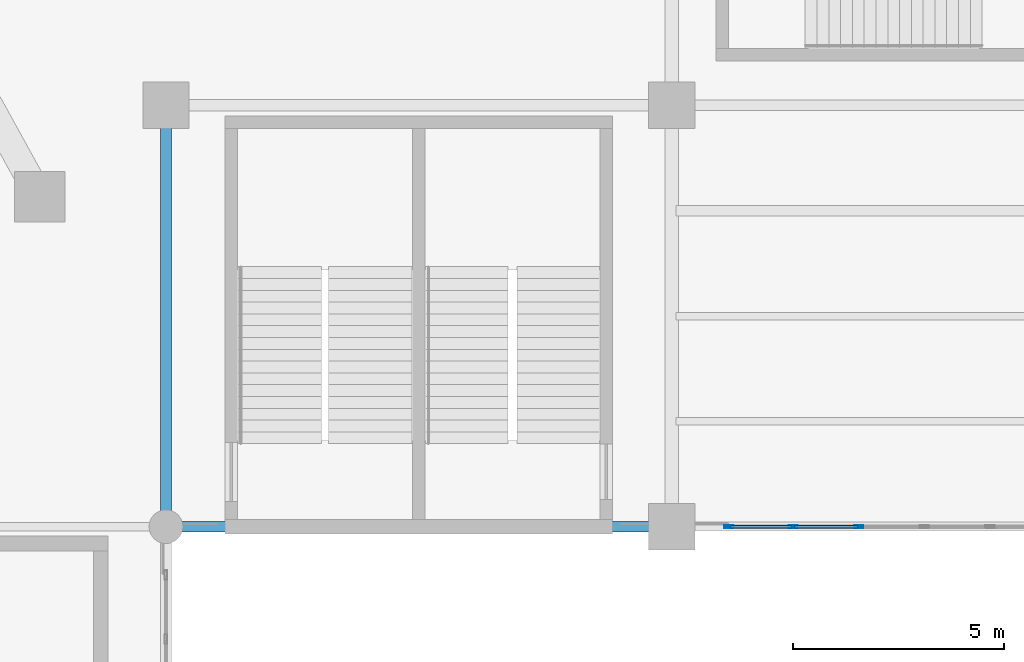
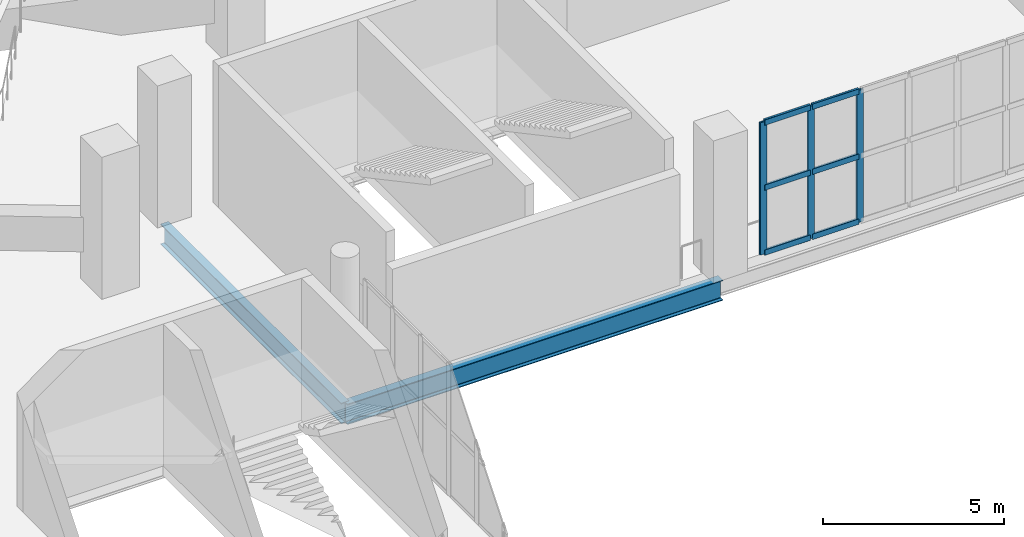
# One storey, part 57 of 136: 9 members, 2 beams, 1 element without a shape of its own.
"""IFC4 building model written with IfcOpenShell, lengths in metres."""

import ifcopenshell
import ifcopenshell.guid

model = None  # the IFC model being written
_history = None  # IfcOwnerHistory: only IFC2X3 demands one
_inside = {}  # id of a spatial element -> (the spatial element, [elements in it])
_under = {}  # id of a project, library or spatial element -> (it, [spatial elements below it])
_declared = {}  # id of a project -> (the project, [libraries it declares])
_typed = {}  # id of a type object -> (the type object, [elements of that type])
_made_of = {}  # id of a material, layer set ... -> (it, [elements and type objects made of it])


def new_model(schema):
    """Start an empty IFC model of exactly this schema.

    Asked for "IFC4X3", IfcOpenShell would pick the latest addendum, in which some entities
    have other attributes; the version numbers below select the first issue.
    IFC2X3 requires an IfcOwnerHistory on every rooted entity: one is made here for all.
    """
    global model, _history
    if schema == "IFC4X3":
        model = ifcopenshell.file(schema_version=(4, 3, 0, 0))
    else:
        model = ifcopenshell.file(schema=schema)
    _inside.clear()
    _under.clear()
    _declared.clear()
    _typed.clear()
    _made_of.clear()
    _history = None
    if model.schema == "IFC2X3":
        org = make("IfcOrganization", Name="unknown")
        user = make(
            "IfcPersonAndOrganization",
            ThePerson=make("IfcPerson", FamilyName="unknown"),
            TheOrganization=org,
        )
        app = make(
            "IfcApplication",
            ApplicationDeveloper=org,
            Version="unknown",
            ApplicationFullName="unknown",
            ApplicationIdentifier="unknown",
        )
        _history = make(
            "IfcOwnerHistory",
            OwningUser=user,
            OwningApplication=app,
            ChangeAction="ADDED",
            CreationDate=0,
        )
    return model


def make(cls, **values):
    """One entity of the class cls with the attributes given. An attribute that is None is left unset."""
    return model.create_entity(
        cls, **{name: value for name, value in values.items() if value is not None}
    )


def rooted(cls, **values):
    """An entity with a GlobalId (a new one), such as an element, a storey or a relation."""
    return make(cls, GlobalId=ifcopenshell.guid.new(), OwnerHistory=_history, **values)


def si_unit(unit_type, name, prefix=None):
    """IfcSIUnit, for example si_unit("LENGTHUNIT", "METRE", prefix="MILLI")."""
    return make("IfcSIUnit", UnitType=unit_type, Prefix=prefix, Name=name)


def assignment(units):
    """IfcUnitAssignment: the units of a project."""
    return None if units is None else make("IfcUnitAssignment", Units=units)


def point(xyz):
    """IfcCartesianPoint."""
    return None if xyz is None else make("IfcCartesianPoint", Coordinates=xyz)


def direction(xyz):
    """IfcDirection."""
    return None if xyz is None else make("IfcDirection", DirectionRatios=xyz)


def frame(location, z_axis=None, x_axis=None):
    """IfcAxis2Placement3D, a coordinate frame: its origin and axes. An axis left out is left unset."""
    return make(
        "IfcAxis2Placement3D",
        Location=point(location),
        Axis=direction(z_axis),
        RefDirection=direction(x_axis),
    )


def frame_2d(location, x_axis=None):
    """IfcAxis2Placement2D, a coordinate frame in the plane: its origin and x axis."""
    return make(
        "IfcAxis2Placement2D", Location=point(location), RefDirection=direction(x_axis)
    )


def origin():
    """The frame at (0, 0, 0) with its axes left unset."""
    return frame((0.0, 0.0, 0.0))


def origin_2d():
    """The frame at (0, 0) in the plane with its x axis left unset."""
    return frame_2d((0.0, 0.0))


def place(relative_to, where):
    """IfcLocalPlacement: puts the frame where relative to a parent placement (None: the world)."""
    return make(
        "IfcLocalPlacement", PlacementRelTo=relative_to, RelativePlacement=where
    )


def context(
    kind, dimensions, precision=None, world=None, true_north=None, identifier=None
):
    """IfcGeometricRepresentationContext, for example the 3D "Model" context."""
    return make(
        "IfcGeometricRepresentationContext",
        ContextIdentifier=identifier,
        ContextType=kind,
        CoordinateSpaceDimension=dimensions,
        Precision=precision,
        WorldCoordinateSystem=world,
        TrueNorth=true_north,
    )


def subcontext(parent, identifier, kind, view, scale=None):
    """IfcGeometricRepresentationSubContext, for example "Body" below "Model"."""
    return make(
        "IfcGeometricRepresentationSubContext",
        ContextIdentifier=identifier,
        ContextType=kind,
        ParentContext=parent,
        TargetScale=scale,
        TargetView=view,
    )


def project(units=None, contexts=None):
    """IfcProject with its units and contexts."""
    return rooted(
        "IfcProject",
        Name="project",
        RepresentationContexts=contexts,
        UnitsInContext=assignment(units),
    )


def spatial(cls, under=None, at=None, **own):
    """A site, building, storey or space (cls), placed at a placement, below another one or the project."""
    s = rooted(cls, ObjectPlacement=at, **own)
    if under is not None:
        _under.setdefault(under.id(), (under, []))[1].append(s)
    return s


def profile(cls, at=None, kind="AREA", **sizes):
    """A parametric profile (cls). Its sizes go by their IFC names, for example OverallWidth=200.0."""
    return make(cls, ProfileType=kind, Position=at, **sizes)


def hollow_rectangle(**sizes):
    """IfcRectangleHollowProfileDef."""
    return profile("IfcRectangleHollowProfileDef", **sizes)


def i_section(**sizes):
    """IfcIShapeProfileDef."""
    return profile("IfcIShapeProfileDef", **sizes)


def extrude(swept, where, along, depth):
    """IfcExtrudedAreaSolid: the profile swept, set in the frame where, extruded along a direction by depth."""
    return make(
        "IfcExtrudedAreaSolid",
        SweptArea=swept,
        Position=where,
        ExtrudedDirection=direction(along),
        Depth=depth,
    )


def shape(context_of_items, identifier, shape_type, items):
    """IfcShapeRepresentation: the items that make up one representation, for example the "Body"."""
    return make(
        "IfcShapeRepresentation",
        ContextOfItems=context_of_items,
        RepresentationIdentifier=identifier,
        RepresentationType=shape_type,
        Items=items,
    )


def material(Name=None, Category=None):
    """IfcMaterial."""
    return make("IfcMaterial", Name=Name, Category=Category)


def layer(
    of_material, thickness, ventilated=None, Name=None, Category=None, Priority=None
):
    """IfcMaterialLayer: one layer of a wall or slab, of a material (None: an air gap)."""
    return make(
        "IfcMaterialLayer",
        Material=of_material,
        LayerThickness=thickness,
        IsVentilated=ventilated,
        Name=Name,
        Category=Category,
        Priority=Priority,
    )


def layer_set(layers, Name=None):
    """IfcMaterialLayerSet."""
    return make("IfcMaterialLayerSet", MaterialLayers=layers, LayerSetName=Name)


def material_profile(
    of_material, cross_section, Name=None, Category=None, Priority=None
):
    """IfcMaterialProfile: a cross section and its material."""
    return make(
        "IfcMaterialProfile",
        Name=Name,
        Material=of_material,
        Profile=cross_section,
        Priority=Priority,
        Category=Category,
    )


def profile_set(profiles, Name=None, composite=None):
    """IfcMaterialProfileSet."""
    return make(
        "IfcMaterialProfileSet",
        Name=Name,
        MaterialProfiles=profiles,
        CompositeProfile=composite,
    )


def made_of(thing, what):
    """Note that an element or type object is made of a material, layer set ...; save() writes the relation."""
    if what is not None:
        _made_of.setdefault(what.id(), (what, []))[1].append(thing)
    return thing


def type_object(cls, material=None, **own):
    """A type object (cls), such as IfcWallType, which elements share."""
    return made_of(rooted(cls, **own), material)


def element(
    cls,
    number,
    at=None,
    inside=None,
    cuts=None,
    type_object=None,
    material=None,
    context=None,
    identifier="Body",
    shape_type=None,
    held_by="IfcProductDefinitionShape",
    body=None,
    shapes=None,
    **own,
):
    """One element of the class cls, such as IfcWall. Its Tag is "e" and its number.

    at: its placement. inside: the storey or other place that contains it. cuts: it is an
    opening in that element (IfcRelVoidsElement). A single representation is given by context,
    identifier, shape_type and body (its items); several are given by shapes. held_by: the class
    of the entity that holds the representations. save() writes the other relations.
    """
    e = rooted(cls, Tag="e%d" % number, ObjectPlacement=at, **own)
    if body is not None:
        shapes = [shape(context, identifier, shape_type, body)]
    if shapes is not None:
        e.Representation = make(held_by, Representations=shapes)
    if inside is not None:
        _inside.setdefault(inside.id(), (inside, []))[1].append(e)
    if cuts is not None:
        rooted(
            "IfcRelVoidsElement", RelatingBuildingElement=cuts, RelatedOpeningElement=e
        )
    if type_object is not None:
        _typed.setdefault(type_object.id(), (type_object, []))[1].append(e)
    return made_of(e, material)


def aggregate(whole, parts):
    """IfcRelAggregates: a whole, such as a stair, and the parts it consists of."""
    return rooted("IfcRelAggregates", RelatingObject=whole, RelatedObjects=parts)


def save(model, path):
    """Write the relations noted so far, then the file.

    IfcRelAggregates (storeys below a building ...), IfcRelContainedInSpatialStructure (elements
    in a storey), IfcRelDefinesByType, IfcRelAssociatesMaterial and IfcRelDeclares: one each for
    every whole, place, type object, material and project.
    """
    for whole, parts in _under.values():
        aggregate(whole, parts)
    for where, things in _inside.values():
        rooted(
            "IfcRelContainedInSpatialStructure",
            RelatedElements=things,
            RelatingStructure=where,
        )
    for kind, things in _typed.values():
        rooted("IfcRelDefinesByType", RelatedObjects=things, RelatingType=kind)
    for what, things in _made_of.values():
        rooted("IfcRelAssociatesMaterial", RelatedObjects=things, RelatingMaterial=what)
    for by, libraries in _declared.values():
        rooted("IfcRelDeclares", RelatingContext=by, RelatedDefinitions=libraries)
    model.write(path)


model = new_model("IFC4")

# Units and contexts
model_context = context("Model", 3, precision=1e-05, world=origin(), true_north=direction((0.0, 1.0)))
body_context = subcontext(model_context, "Body", "Model", "MODEL_VIEW")
ifc_project = project(units=[si_unit("LENGTHUNIT", "METRE"), si_unit("AREAUNIT", "SQUARE_METRE"), si_unit("VOLUMEUNIT", "CUBIC_METRE"), si_unit("PLANEANGLEUNIT", "RADIAN"), si_unit("MASSUNIT", "GRAM", prefix="KILO")], contexts=[model_context])

# Site, building, storey
site_placement = place(None, origin())
site = spatial("IfcSite", under=ifc_project, at=site_placement, CompositionType="ELEMENT")
building_placement = place(site_placement, origin())
building = spatial("IfcBuilding", under=site, at=building_placement, Name="Brinegate Civic Arena", CompositionType="ELEMENT")
storey_placement = place(building_placement, frame((0.0, 0.0, 5.39990234375)))
storey = spatial("IfcBuildingStorey", under=building, at=storey_placement, Name="L01", CompositionType="ELEMENT", Elevation=5.39990234375)

# Curtain wall, members
ifc_material_1 = material(Name="Marine grade aluminium", Category="aluminium")
ifc_layer = layer(ifc_material_1, 0.199951171875, Name="Marine grade aluminium")
ifc_layer_set = layer_set([ifc_layer], Name="Marine grade aluminium")
curtain_wall_type = type_object("IfcCurtainWallType", Name="CW-BOWL-GLAZED-01", PredefinedType="USERDEFINED", material=ifc_layer_set)
curtain_wall_placement = place(storey_placement, origin())
curtain_wall = element("IfcCurtainWall", 1, at=curtain_wall_placement, inside=storey, type_object=curtain_wall_type, Name="Curtain Wall CWA-073", ObjectType="GLAZED CURTAIN WALL", PredefinedType="USERDEFINED")
ifc_material_profile_1 = material_profile(ifc_material_1, hollow_rectangle(XDim=0.06494140625, YDim=0.219970703125, WallThickness=0.006103515625, InnerFilletRadius=0.00390625, OuterFilletRadius=0.008056640625, at=origin_2d()), Name="MUL65X220")
ifc_profile_set_1 = profile_set([ifc_material_profile_1], Name="Marine grade aluminium")
member_type_1 = type_object("IfcMemberType", Name="CW-MULLION-65X220", PredefinedType="MULLION", material=ifc_profile_set_1)
member_1_placement = place(storey_placement, frame((145.360595703125, 10.0, 0.0), z_axis=(0.0, 0.0, 1.0), x_axis=(0.0, 1.0, 0.0)))
member_1 = element("IfcMember", 2, at=member_1_placement, type_object=member_type_1, Name="CWA-073 mullion 1", PredefinedType="MULLION", context=body_context, shape_type="SweptSolid", body=[
    extrude(hollow_rectangle(XDim=0.06494140625, YDim=0.219970703125, WallThickness=0.006103515625, InnerFilletRadius=0.00390625, OuterFilletRadius=0.008056640625, at=origin_2d()), origin(), (0.0, 0.0, 1.0), 4.47021484375),
])
member_2_placement = place(storey_placement, frame((146.88525390625, 10.0, 0.0), z_axis=(0.0, 0.0, 1.0), x_axis=(0.0, 1.0, 0.0)))
member_2 = element("IfcMember", 3, at=member_2_placement, type_object=member_type_1, Name="CWA-073 mullion 2", PredefinedType="MULLION", context=body_context, shape_type="SweptSolid", body=[
    extrude(hollow_rectangle(XDim=0.06494140625, YDim=0.219970703125, WallThickness=0.006103515625, InnerFilletRadius=0.00390625, OuterFilletRadius=0.008056640625, at=origin_2d()), origin(), (0.0, 0.0, 1.0), 4.47021484375),
])
member_3_placement = place(storey_placement, frame((148.442626953125, 10.0, 0.0), z_axis=(0.0, 0.0, 1.0), x_axis=(0.0, 1.0, 0.0)))
member_3 = element("IfcMember", 4, at=member_3_placement, type_object=member_type_1, Name="CWA-073 mullion 3", PredefinedType="MULLION", context=body_context, shape_type="SweptSolid", body=[
    extrude(hollow_rectangle(XDim=0.06494140625, YDim=0.219970703125, WallThickness=0.006103515625, InnerFilletRadius=0.00390625, OuterFilletRadius=0.008056640625, at=origin_2d()), origin(), (0.0, 0.0, 1.0), 4.47021484375),
])
ifc_material_profile_2 = material_profile(ifc_material_1, hollow_rectangle(XDim=0.074951171875, YDim=0.18994140625, WallThickness=0.006103515625, InnerFilletRadius=0.00390625, OuterFilletRadius=0.008056640625, at=origin_2d()), Name="TRN75X190")
ifc_profile_set_2 = profile_set([ifc_material_profile_2], Name="Marine grade aluminium")
member_type_2 = type_object("IfcMemberType", Name="CW-TRANSOM-75X190", PredefinedType="USERDEFINED", material=ifc_profile_set_2)
member_4_placement = place(storey_placement, frame((145.39306640625, 10.0, 0.03759765625), z_axis=(1.0, 0.0, 0.0), x_axis=(0.0, 1.0, 0.0)))
member_4 = element("IfcMember", 5, at=member_4_placement, type_object=member_type_2, Name="CWA-073 transom 1.1", ObjectType="TRANSOM", PredefinedType="USERDEFINED", context=body_context, shape_type="SweptSolid", body=[
    extrude(hollow_rectangle(XDim=0.074951171875, YDim=0.18994140625, WallThickness=0.006103515625, InnerFilletRadius=0.00390625, OuterFilletRadius=0.008056640625, at=origin_2d()), origin(), (0.0, 0.0, 1.0), 1.459716796875),
])
member_5_placement = place(storey_placement, frame((145.39306640625, 10.0, 2.235107421875), z_axis=(1.0, 0.0, 0.0), x_axis=(0.0, 1.0, 0.0)))
member_5 = element("IfcMember", 6, at=member_5_placement, type_object=member_type_2, Name="CWA-073 transom 1.2", ObjectType="TRANSOM", PredefinedType="USERDEFINED", context=body_context, shape_type="SweptSolid", body=[
    extrude(hollow_rectangle(XDim=0.074951171875, YDim=0.18994140625, WallThickness=0.006103515625, InnerFilletRadius=0.00390625, OuterFilletRadius=0.008056640625, at=origin_2d()), origin(), (0.0, 0.0, 1.0), 1.459716796875),
])
member_6_placement = place(storey_placement, frame((145.39306640625, 10.0, 4.4326171875), z_axis=(1.0, 0.0, 0.0), x_axis=(0.0, 1.0, 0.0)))
member_6 = element("IfcMember", 7, at=member_6_placement, type_object=member_type_2, Name="CWA-073 transom 1.3", ObjectType="TRANSOM", PredefinedType="USERDEFINED", context=body_context, shape_type="SweptSolid", body=[
    extrude(hollow_rectangle(XDim=0.074951171875, YDim=0.18994140625, WallThickness=0.006103515625, InnerFilletRadius=0.00390625, OuterFilletRadius=0.008056640625, at=origin_2d()), origin(), (0.0, 0.0, 1.0), 1.459716796875),
])
member_7_placement = place(storey_placement, frame((146.917724609375, 10.0, 0.03759765625), z_axis=(1.0, 0.0, 0.0), x_axis=(0.0, 1.0, 0.0)))
member_7 = element("IfcMember", 8, at=member_7_placement, type_object=member_type_2, Name="CWA-073 transom 2.1", ObjectType="TRANSOM", PredefinedType="USERDEFINED", context=body_context, shape_type="SweptSolid", body=[
    extrude(hollow_rectangle(XDim=0.074951171875, YDim=0.18994140625, WallThickness=0.006103515625, InnerFilletRadius=0.00390625, OuterFilletRadius=0.008056640625, at=origin_2d()), origin(), (0.0, 0.0, 1.0), 1.492431640625),
])
member_8_placement = place(storey_placement, frame((146.917724609375, 10.0, 2.235107421875), z_axis=(1.0, 0.0, 0.0), x_axis=(0.0, 1.0, 0.0)))
member_8 = element("IfcMember", 9, at=member_8_placement, type_object=member_type_2, Name="CWA-073 transom 2.2", ObjectType="TRANSOM", PredefinedType="USERDEFINED", context=body_context, shape_type="SweptSolid", body=[
    extrude(hollow_rectangle(XDim=0.074951171875, YDim=0.18994140625, WallThickness=0.006103515625, InnerFilletRadius=0.00390625, OuterFilletRadius=0.008056640625, at=origin_2d()), origin(), (0.0, 0.0, 1.0), 1.492431640625),
])
member_9_placement = place(storey_placement, frame((146.917724609375, 10.0, 4.4326171875), z_axis=(1.0, 0.0, 0.0), x_axis=(0.0, 1.0, 0.0)))
member_9 = element("IfcMember", 10, at=member_9_placement, type_object=member_type_2, Name="CWA-073 transom 2.3", ObjectType="TRANSOM", PredefinedType="USERDEFINED", context=body_context, shape_type="SweptSolid", body=[
    extrude(hollow_rectangle(XDim=0.074951171875, YDim=0.18994140625, WallThickness=0.006103515625, InnerFilletRadius=0.00390625, OuterFilletRadius=0.008056640625, at=origin_2d()), origin(), (0.0, 0.0, 1.0), 1.492431640625),
])
aggregate(curtain_wall, [member_1, member_2, member_3, member_4, member_5, member_6, member_7, member_8, member_9])

# Beams
ifc_material_2 = material(Name="Steel S355", Category="steel")
ifc_material_profile_3 = material_profile(ifc_material_2, i_section(OverallWidth=0.256103515625, OverallDepth=0.693115234375, WebThickness=0.014892578125, FlangeThickness=0.02392578125, FilletRadius=0.01806640625, at=origin_2d()), Name="W690X170")
ifc_profile_set_3 = profile_set([ifc_material_profile_3], Name="Steel S355")
beam_type_1 = type_object("IfcBeamType", Name="GIRDER-W690X170", PredefinedType="BEAM", material=ifc_profile_set_3)
beam_1_placement = place(storey_placement, frame((132.0, 10.0, -0.685791015625), z_axis=(0.0, 1.0, 0.0), x_axis=(-1.0, 0.0, 0.0)))
element("IfcBeam", 11, at=beam_1_placement, inside=storey, type_object=beam_type_1, Name="Floor Girder BM-L01-GY-11-01", PredefinedType="BEAM", context=body_context, shape_type="SweptSolid", body=[
    extrude(i_section(OverallWidth=0.256103515625, OverallDepth=0.693115234375, WebThickness=0.014892578125, FlangeThickness=0.02392578125, FilletRadius=0.01806640625, at=origin_2d()), origin(), (0.0, 0.0, 1.0), 10.0),
])
ifc_material_profile_4 = material_profile(ifc_material_2, i_section(OverallWidth=0.256103515625, OverallDepth=0.693115234375, WebThickness=0.014892578125, FlangeThickness=0.02392578125, FilletRadius=0.01806640625, at=origin_2d()), Name="W690X170")
ifc_profile_set_4 = profile_set([ifc_material_profile_4], Name="Steel S355")
beam_type_2 = type_object("IfcBeamType", Name="SPANDREL-W690X170", PredefinedType="SPANDREL", material=ifc_profile_set_4)
beam_2_placement = place(storey_placement, frame((132.0, 10.0, -0.685791015625), z_axis=(1.0, 0.0, 0.0), x_axis=(0.0, 1.0, 0.0)))
element("IfcBeam", 12, at=beam_2_placement, inside=storey, type_object=beam_type_2, Name="Floor Girder BM-L01-GX-11-01", PredefinedType="SPANDREL", context=body_context, shape_type="SweptSolid", body=[
    extrude(i_section(OverallWidth=0.256103515625, OverallDepth=0.693115234375, WebThickness=0.014892578125, FlangeThickness=0.02392578125, FilletRadius=0.01806640625, at=origin_2d()), origin(), (0.0, 0.0, 1.0), 12.0),
])

save(model, "model.ifc")
